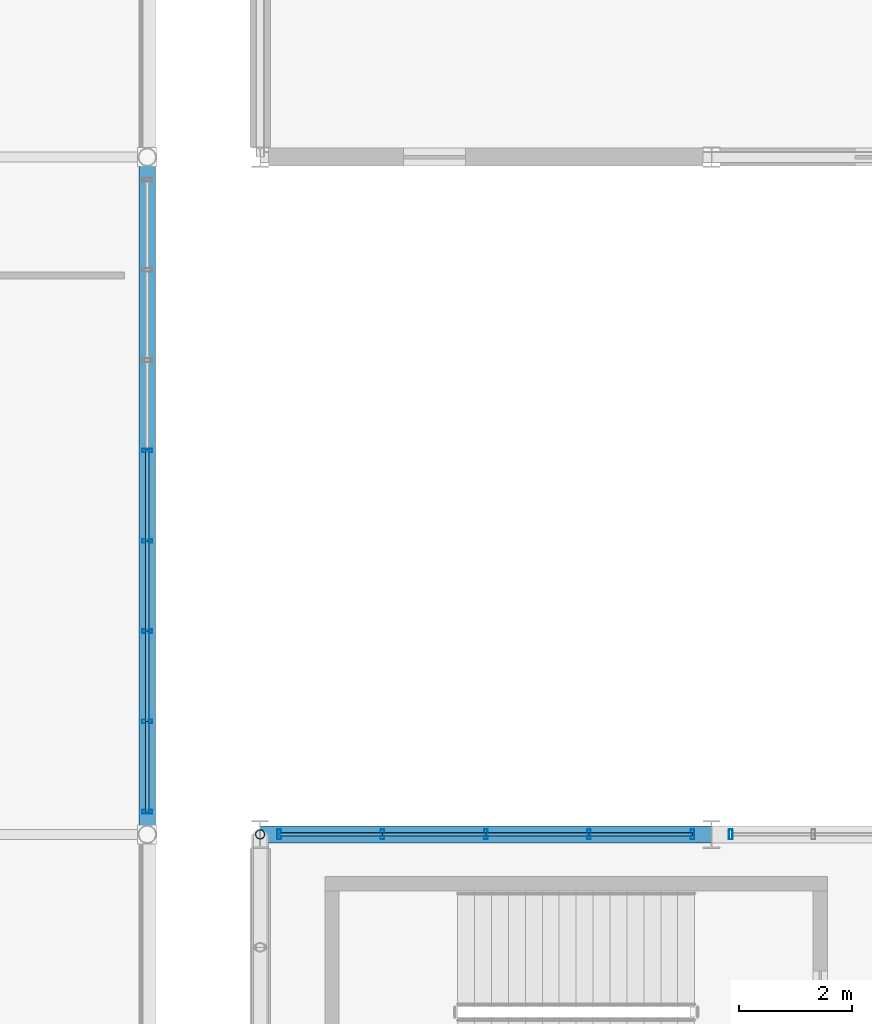
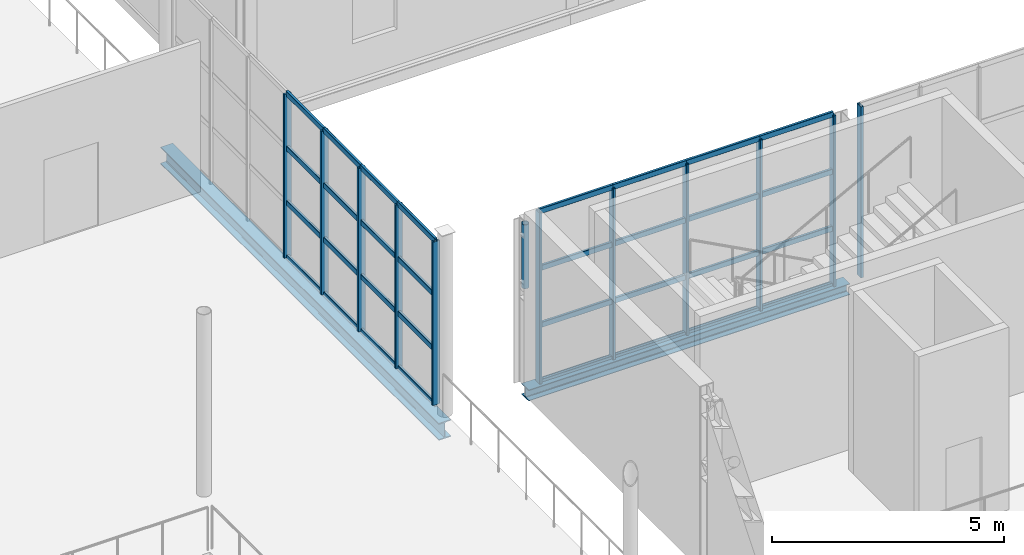
# One storey, part 51 of 143: 44 members, 2 beams, 3 elements without a shape of their own.
"""IFC4 building model written with IfcOpenShell, lengths in metres."""

from ifc_helpers import new_model, si_unit, derived_unit, direction, frame, origin, origin_2d, place, context, subcontext, project, spatial, hollow_rectangle, hollow_circle, i_section, extrude, material, material_profile, profile_set, type_object, element, aggregate, save


model = new_model("IFC4")

# Units and contexts
model_context = context("Model", 3, precision=1e-05, world=origin(), true_north=direction((0.0, 1.0)))
body_context = subcontext(model_context, "Body", "Model", "MODEL_VIEW")
ifc_project = project(units=[si_unit("LENGTHUNIT", "METRE"), si_unit("AREAUNIT", "SQUARE_METRE"), si_unit("VOLUMEUNIT", "CUBIC_METRE"), si_unit("PLANEANGLEUNIT", "RADIAN"), si_unit("MASSUNIT", "GRAM", prefix="KILO"), derived_unit("THERMALTRANSMITTANCEUNIT", [(si_unit("POWERUNIT", "WATT"), 1), (si_unit("LENGTHUNIT", "METRE"), -2), (si_unit("THERMODYNAMICTEMPERATUREUNIT", "KELVIN"), -1)])], contexts=[model_context])

# Site, building, storey
site_placement = place(None, origin())
site = spatial("IfcSite", under=ifc_project, at=site_placement, CompositionType="ELEMENT")
building_placement = place(site_placement, origin())
building = spatial("IfcBuilding", under=site, at=building_placement, Name="Keldorne Ridge Multi-Sports Centre", CompositionType="ELEMENT")
storey_placement = place(building_placement, frame((0.0, 0.0, 4.800048828125)))
storey = spatial("IfcBuildingStorey", under=building, at=storey_placement, Name="L01", CompositionType="ELEMENT", Elevation=4.800048828125)

# Beams
ifc_material_1 = material(Name="Steel S355", Category="steel")
ifc_material_profile_1 = material_profile(ifc_material_1, i_section(OverallWidth=0.300048828125, OverallDepth=0.449951171875, WebThickness=0.013916015625, FlangeThickness=0.02587890625, FilletRadius=0.027099609375, at=origin_2d()), Name="HEB 450")
ifc_profile_set_1 = profile_set([ifc_material_profile_1], Name="Steel S355")
beam_type_1 = type_object("IfcBeamType", Name="BM-B-11", PredefinedType="BEAM", material=ifc_profile_set_1)
beam_1_placement = place(storey_placement, frame((102.0, 54.0, -0.445068359375), z_axis=(0.0, 1.0, 0.0), x_axis=(-1.0, 0.0, 0.0)))
element("IfcBeam", 1, at=beam_1_placement, inside=storey, type_object=beam_type_1, Name="L01 passage girder G15.7", PredefinedType="BEAM", context=body_context, shape_type="SweptSolid", body=[
    extrude(i_section(OverallWidth=0.300048828125, OverallDepth=0.449951171875, WebThickness=0.013916015625, FlangeThickness=0.02587890625, FilletRadius=0.027099609375, at=origin_2d()), origin(), (0.0, 0.0, 1.0), 12.0),
])
ifc_material_profile_2 = material_profile(ifc_material_1, i_section(OverallWidth=0.300048828125, OverallDepth=0.2900390625, WebThickness=0.008544921875, FlangeThickness=0.013916015625, FilletRadius=0.027099609375, at=origin_2d()), Name="HEA 300")
ifc_profile_set_2 = profile_set([ifc_material_profile_2], Name="Steel S355")
beam_type_2 = type_object("IfcBeamType", Name="BM-SP-04", PredefinedType="SPANDREL", material=ifc_profile_set_2)
beam_2_placement = place(storey_placement, frame((104.0, 54.0, -0.150146484375), z_axis=(1.0, 0.0, 0.0), x_axis=(0.0, 1.0, 0.0)))
element("IfcBeam", 2, at=beam_2_placement, inside=storey, type_object=beam_type_2, Name="Stacked Courts spandrel L01.54.1", PredefinedType="SPANDREL", context=body_context, shape_type="SweptSolid", body=[
    extrude(i_section(OverallWidth=0.300048828125, OverallDepth=0.2900390625, WebThickness=0.008544921875, FlangeThickness=0.013916015625, FilletRadius=0.027099609375, at=origin_2d()), origin(), (0.0, 0.0, 1.0), 8.0),
])

# Curtain wall, members
ifc_material_2 = material(Name="Anodized aluminium", Category="aluminium")
curtain_wall_type_1 = type_object("IfcCurtainWallType", Name="CW-CW-06", PredefinedType="NOTDEFINED", material=ifc_material_2)
curtain_wall_1_placement = place(storey_placement, origin())
curtain_wall_1 = element("IfcCurtainWall", 3, at=curtain_wall_1_placement, inside=storey, type_object=curtain_wall_type_1, Name="Passage east courtyard curtain wall L01 086", PredefinedType="NOTDEFINED")
ifc_material_profile_3 = material_profile(ifc_material_2, hollow_rectangle(XDim=0.06494140625, YDim=0.179931640625, WallThickness=0.00439453125, InnerFilletRadius=0.00439453125, OuterFilletRadius=0.009033203125, at=origin_2d()), Name="ALU MULLION 180x65x4.5")
ifc_profile_set_3 = profile_set([ifc_material_profile_3], Name="Anodized aluminium")
member_type_1 = type_object("IfcMemberType", Name="MEM-ML-01", PredefinedType="MULLION", material=ifc_profile_set_3)
member_1_placement = place(storey_placement, frame((102.0, 54.39990234375, 0.0), z_axis=(0.0, 0.0, 1.0), x_axis=(0.0, 1.0, 0.0)))
member_1 = element("IfcMember", 4, at=member_1_placement, type_object=member_type_1, Name="CW-086 vertical mullion 1", PredefinedType="MULLION", context=body_context, shape_type="SweptSolid", body=[
    extrude(hollow_rectangle(XDim=0.06494140625, YDim=0.179931640625, WallThickness=0.00439453125, InnerFilletRadius=0.00439453125, OuterFilletRadius=0.009033203125, at=origin_2d()), origin(), (0.0, 0.0, 1.0), 4.300048828125),
])
member_2_placement = place(storey_placement, frame((102.0, 56.0, 0.0), z_axis=(0.0, 0.0, 1.0), x_axis=(0.0, 1.0, 0.0)))
member_2 = element("IfcMember", 5, at=member_2_placement, type_object=member_type_1, Name="CW-086 vertical mullion 2", PredefinedType="MULLION", context=body_context, shape_type="SweptSolid", body=[
    extrude(hollow_rectangle(XDim=0.06494140625, YDim=0.179931640625, WallThickness=0.00439453125, InnerFilletRadius=0.00439453125, OuterFilletRadius=0.009033203125, at=origin_2d()), origin(), (0.0, 0.0, 1.0), 4.300048828125),
])
member_3_placement = place(storey_placement, frame((102.0, 57.60009765625, 0.0), z_axis=(0.0, 0.0, 1.0), x_axis=(0.0, 1.0, 0.0)))
member_3 = element("IfcMember", 6, at=member_3_placement, type_object=member_type_1, Name="CW-086 vertical mullion 3", PredefinedType="MULLION", context=body_context, shape_type="SweptSolid", body=[
    extrude(hollow_rectangle(XDim=0.06494140625, YDim=0.179931640625, WallThickness=0.00439453125, InnerFilletRadius=0.00439453125, OuterFilletRadius=0.009033203125, at=origin_2d()), origin(), (0.0, 0.0, 1.0), 4.300048828125),
])
member_4_placement = place(storey_placement, frame((102.0, 59.199951171875, 0.0), z_axis=(0.0, 0.0, 1.0), x_axis=(0.0, 1.0, 0.0)))
member_4 = element("IfcMember", 7, at=member_4_placement, type_object=member_type_1, Name="CW-086 vertical mullion 4", PredefinedType="MULLION", context=body_context, shape_type="SweptSolid", body=[
    extrude(hollow_rectangle(XDim=0.06494140625, YDim=0.179931640625, WallThickness=0.00439453125, InnerFilletRadius=0.00439453125, OuterFilletRadius=0.009033203125, at=origin_2d()), origin(), (0.0, 0.0, 1.0), 4.300048828125),
])
member_5_placement = place(storey_placement, frame((102.0, 60.800048828125, 0.0), z_axis=(0.0, 0.0, 1.0), x_axis=(0.0, 1.0, 0.0)))
member_5 = element("IfcMember", 8, at=member_5_placement, type_object=member_type_1, Name="CW-086 vertical mullion 5", PredefinedType="MULLION", context=body_context, shape_type="SweptSolid", body=[
    extrude(hollow_rectangle(XDim=0.06494140625, YDim=0.179931640625, WallThickness=0.00439453125, InnerFilletRadius=0.00439453125, OuterFilletRadius=0.009033203125, at=origin_2d()), origin(), (0.0, 0.0, 1.0), 4.300048828125),
])

curtain_wall_type_2 = type_object("IfcCurtainWallType", Name="CW-CW-03", PredefinedType="NOTDEFINED", material=ifc_material_2)
curtain_wall_2_placement = place(storey_placement, origin())
curtain_wall_2 = element("IfcCurtainWall", 9, at=curtain_wall_2_placement, inside=storey, type_object=curtain_wall_type_2, Name="Lower Courts north clerestory 091", PredefinedType="NOTDEFINED")
member_6_placement = place(storey_placement, frame((111.659912109375, 54.0, 0.0), z_axis=(0.0, 0.0, 1.0), x_axis=(1.0, 0.0, 0.0)))
member_6 = element("IfcMember", 10, at=member_6_placement, type_object=member_type_1, Name="CW-091 vertical mullion 1", PredefinedType="MULLION", context=body_context, shape_type="SweptSolid", body=[
    extrude(hollow_rectangle(XDim=0.06494140625, YDim=0.179931640625, WallThickness=0.00439453125, InnerFilletRadius=0.00439453125, OuterFilletRadius=0.009033203125, at=origin_2d()), origin(), (0.0, 0.0, 1.0), 4.5),
])
member_7_placement = place(storey_placement, frame((109.830078125, 54.0, 0.0), z_axis=(0.0, 0.0, 1.0), x_axis=(1.0, 0.0, 0.0)))
member_7 = element("IfcMember", 11, at=member_7_placement, type_object=member_type_1, Name="CW-091 vertical mullion 2", PredefinedType="MULLION", context=body_context, shape_type="SweptSolid", body=[
    extrude(hollow_rectangle(XDim=0.06494140625, YDim=0.179931640625, WallThickness=0.00439453125, InnerFilletRadius=0.00439453125, OuterFilletRadius=0.009033203125, at=origin_2d()), origin(), (0.0, 0.0, 1.0), 4.5),
])
member_8_placement = place(storey_placement, frame((108.0, 54.0, 0.0), z_axis=(0.0, 0.0, 1.0), x_axis=(1.0, 0.0, 0.0)))
member_8 = element("IfcMember", 12, at=member_8_placement, type_object=member_type_1, Name="CW-091 vertical mullion 3", PredefinedType="MULLION", context=body_context, shape_type="SweptSolid", body=[
    extrude(hollow_rectangle(XDim=0.06494140625, YDim=0.179931640625, WallThickness=0.00439453125, InnerFilletRadius=0.00439453125, OuterFilletRadius=0.009033203125, at=origin_2d()), origin(), (0.0, 0.0, 1.0), 4.5),
])
member_9_placement = place(storey_placement, frame((106.169921875, 54.0, 0.0), z_axis=(0.0, 0.0, 1.0), x_axis=(1.0, 0.0, 0.0)))
member_9 = element("IfcMember", 13, at=member_9_placement, type_object=member_type_1, Name="CW-091 vertical mullion 4", PredefinedType="MULLION", context=body_context, shape_type="SweptSolid", body=[
    extrude(hollow_rectangle(XDim=0.06494140625, YDim=0.179931640625, WallThickness=0.00439453125, InnerFilletRadius=0.00439453125, OuterFilletRadius=0.009033203125, at=origin_2d()), origin(), (0.0, 0.0, 1.0), 4.5),
])
member_10_placement = place(storey_placement, frame((104.340087890625, 54.0, 0.0), z_axis=(0.0, 0.0, 1.0), x_axis=(1.0, 0.0, 0.0)))
member_10 = element("IfcMember", 14, at=member_10_placement, type_object=member_type_1, Name="CW-091 vertical mullion 5", PredefinedType="MULLION", context=body_context, shape_type="SweptSolid", body=[
    extrude(hollow_rectangle(XDim=0.06494140625, YDim=0.179931640625, WallThickness=0.00439453125, InnerFilletRadius=0.00439453125, OuterFilletRadius=0.009033203125, at=origin_2d()), origin(), (0.0, 0.0, 1.0), 4.5),
])

# Curtain wall, member
curtain_wall_type_3 = type_object("IfcCurtainWallType", Name="CW-CW-01", PredefinedType="NOTDEFINED", material=ifc_material_2)
curtain_wall_3_placement = place(storey_placement, origin())
curtain_wall_3 = element("IfcCurtainWall", 15, at=curtain_wall_3_placement, inside=storey, type_object=curtain_wall_type_3, Name="Lower Courts north clerestory 097", PredefinedType="NOTDEFINED")
member_11_placement = place(storey_placement, frame((112.340087890625, 54.0, 0.0), z_axis=(0.0, 0.0, 1.0), x_axis=(1.0, 0.0, 0.0)))
member_11 = element("IfcMember", 16, at=member_11_placement, type_object=member_type_1, Name="CW-097 vertical mullion 6", PredefinedType="MULLION", context=body_context, shape_type="SweptSolid", body=[
    extrude(hollow_rectangle(XDim=0.06494140625, YDim=0.179931640625, WallThickness=0.00439453125, InnerFilletRadius=0.00439453125, OuterFilletRadius=0.009033203125, at=origin_2d()), origin(), (0.0, 0.0, 1.0), 4.5),
])
aggregate(curtain_wall_3, [member_11])

# Member
ifc_material_profile_4 = material_profile(ifc_material_2, hollow_rectangle(XDim=0.06494140625, YDim=0.139892578125, WallThickness=0.00439453125, InnerFilletRadius=0.00439453125, OuterFilletRadius=0.009033203125, at=origin_2d()), Name="ALU TRANSOM 140x65x4.5")
ifc_profile_set_4 = profile_set([ifc_material_profile_4], Name="Anodized aluminium")
member_type_2 = type_object("IfcMemberType", Name="MEM-TR-01", PredefinedType="USERDEFINED", material=ifc_profile_set_4)
member_12_placement = place(storey_placement, frame((102.0, 54.39990234375, 0.0), z_axis=(0.0, 1.0, 0.0), x_axis=(-1.0, 0.0, 0.0)))
member_12 = element("IfcMember", 17, at=member_12_placement, type_object=member_type_2, Name="CW-086 transom 1.1", ObjectType="TRANSOM", PredefinedType="USERDEFINED", context=body_context, shape_type="SweptSolid", body=[
    extrude(hollow_rectangle(XDim=0.06494140625, YDim=0.139892578125, WallThickness=0.00439453125, InnerFilletRadius=0.00439453125, OuterFilletRadius=0.009033203125, at=origin_2d()), origin(), (0.0, 0.0, 1.0), 1.60009765625),
])

member_13_placement = place(storey_placement, frame((102.0, 54.39990234375, 1.433349609375), z_axis=(0.0, 1.0, 0.0), x_axis=(-1.0, 0.0, 0.0)))
member_13 = element("IfcMember", 18, at=member_13_placement, type_object=member_type_2, Name="CW-086 transom 1.2", ObjectType="TRANSOM", PredefinedType="USERDEFINED", context=body_context, shape_type="SweptSolid", body=[
    extrude(hollow_rectangle(XDim=0.06494140625, YDim=0.139892578125, WallThickness=0.00439453125, InnerFilletRadius=0.00439453125, OuterFilletRadius=0.009033203125, at=origin_2d()), origin(), (0.0, 0.0, 1.0), 1.60009765625),
])

member_14_placement = place(storey_placement, frame((102.0, 54.39990234375, 2.86669921875), z_axis=(0.0, 1.0, 0.0), x_axis=(-1.0, 0.0, 0.0)))
member_14 = element("IfcMember", 19, at=member_14_placement, type_object=member_type_2, Name="CW-086 transom 1.3", ObjectType="TRANSOM", PredefinedType="USERDEFINED", context=body_context, shape_type="SweptSolid", body=[
    extrude(hollow_rectangle(XDim=0.06494140625, YDim=0.139892578125, WallThickness=0.00439453125, InnerFilletRadius=0.00439453125, OuterFilletRadius=0.009033203125, at=origin_2d()), origin(), (0.0, 0.0, 1.0), 1.60009765625),
])

member_15_placement = place(storey_placement, frame((102.0, 54.39990234375, 4.300048828125), z_axis=(0.0, 1.0, 0.0), x_axis=(-1.0, 0.0, 0.0)))
member_15 = element("IfcMember", 20, at=member_15_placement, type_object=member_type_2, Name="CW-086 transom 1.4", ObjectType="TRANSOM", PredefinedType="USERDEFINED", context=body_context, shape_type="SweptSolid", body=[
    extrude(hollow_rectangle(XDim=0.06494140625, YDim=0.139892578125, WallThickness=0.00439453125, InnerFilletRadius=0.00439453125, OuterFilletRadius=0.009033203125, at=origin_2d()), origin(), (0.0, 0.0, 1.0), 1.60009765625),
])

member_16_placement = place(storey_placement, frame((102.0, 56.0, 0.0), z_axis=(0.0, 1.0, 0.0), x_axis=(-1.0, 0.0, 0.0)))
member_16 = element("IfcMember", 21, at=member_16_placement, type_object=member_type_2, Name="CW-086 transom 2.1", ObjectType="TRANSOM", PredefinedType="USERDEFINED", context=body_context, shape_type="SweptSolid", body=[
    extrude(hollow_rectangle(XDim=0.06494140625, YDim=0.139892578125, WallThickness=0.00439453125, InnerFilletRadius=0.00439453125, OuterFilletRadius=0.009033203125, at=origin_2d()), origin(), (0.0, 0.0, 1.0), 1.60009765625),
])

member_17_placement = place(storey_placement, frame((102.0, 56.0, 1.433349609375), z_axis=(0.0, 1.0, 0.0), x_axis=(-1.0, 0.0, 0.0)))
member_17 = element("IfcMember", 22, at=member_17_placement, type_object=member_type_2, Name="CW-086 transom 2.2", ObjectType="TRANSOM", PredefinedType="USERDEFINED", context=body_context, shape_type="SweptSolid", body=[
    extrude(hollow_rectangle(XDim=0.06494140625, YDim=0.139892578125, WallThickness=0.00439453125, InnerFilletRadius=0.00439453125, OuterFilletRadius=0.009033203125, at=origin_2d()), origin(), (0.0, 0.0, 1.0), 1.60009765625),
])

member_18_placement = place(storey_placement, frame((102.0, 56.0, 2.86669921875), z_axis=(0.0, 1.0, 0.0), x_axis=(-1.0, 0.0, 0.0)))
member_18 = element("IfcMember", 23, at=member_18_placement, type_object=member_type_2, Name="CW-086 transom 2.3", ObjectType="TRANSOM", PredefinedType="USERDEFINED", context=body_context, shape_type="SweptSolid", body=[
    extrude(hollow_rectangle(XDim=0.06494140625, YDim=0.139892578125, WallThickness=0.00439453125, InnerFilletRadius=0.00439453125, OuterFilletRadius=0.009033203125, at=origin_2d()), origin(), (0.0, 0.0, 1.0), 1.60009765625),
])

member_19_placement = place(storey_placement, frame((102.0, 56.0, 4.300048828125), z_axis=(0.0, 1.0, 0.0), x_axis=(-1.0, 0.0, 0.0)))
member_19 = element("IfcMember", 24, at=member_19_placement, type_object=member_type_2, Name="CW-086 transom 2.4", ObjectType="TRANSOM", PredefinedType="USERDEFINED", context=body_context, shape_type="SweptSolid", body=[
    extrude(hollow_rectangle(XDim=0.06494140625, YDim=0.139892578125, WallThickness=0.00439453125, InnerFilletRadius=0.00439453125, OuterFilletRadius=0.009033203125, at=origin_2d()), origin(), (0.0, 0.0, 1.0), 1.60009765625),
])

member_20_placement = place(storey_placement, frame((102.0, 57.60009765625, 0.0), z_axis=(0.0, 1.0, 0.0), x_axis=(-1.0, 0.0, 0.0)))
member_20 = element("IfcMember", 25, at=member_20_placement, type_object=member_type_2, Name="CW-086 transom 3.1", ObjectType="TRANSOM", PredefinedType="USERDEFINED", context=body_context, shape_type="SweptSolid", body=[
    extrude(hollow_rectangle(XDim=0.06494140625, YDim=0.139892578125, WallThickness=0.00439453125, InnerFilletRadius=0.00439453125, OuterFilletRadius=0.009033203125, at=origin_2d()), origin(), (0.0, 0.0, 1.0), 1.599853515625),
])

member_21_placement = place(storey_placement, frame((102.0, 57.60009765625, 1.433349609375), z_axis=(0.0, 1.0, 0.0), x_axis=(-1.0, 0.0, 0.0)))
member_21 = element("IfcMember", 26, at=member_21_placement, type_object=member_type_2, Name="CW-086 transom 3.2", ObjectType="TRANSOM", PredefinedType="USERDEFINED", context=body_context, shape_type="SweptSolid", body=[
    extrude(hollow_rectangle(XDim=0.06494140625, YDim=0.139892578125, WallThickness=0.00439453125, InnerFilletRadius=0.00439453125, OuterFilletRadius=0.009033203125, at=origin_2d()), origin(), (0.0, 0.0, 1.0), 1.599853515625),
])

member_22_placement = place(storey_placement, frame((102.0, 57.60009765625, 2.86669921875), z_axis=(0.0, 1.0, 0.0), x_axis=(-1.0, 0.0, 0.0)))
member_22 = element("IfcMember", 27, at=member_22_placement, type_object=member_type_2, Name="CW-086 transom 3.3", ObjectType="TRANSOM", PredefinedType="USERDEFINED", context=body_context, shape_type="SweptSolid", body=[
    extrude(hollow_rectangle(XDim=0.06494140625, YDim=0.139892578125, WallThickness=0.00439453125, InnerFilletRadius=0.00439453125, OuterFilletRadius=0.009033203125, at=origin_2d()), origin(), (0.0, 0.0, 1.0), 1.599853515625),
])

member_23_placement = place(storey_placement, frame((102.0, 57.60009765625, 4.300048828125), z_axis=(0.0, 1.0, 0.0), x_axis=(-1.0, 0.0, 0.0)))
member_23 = element("IfcMember", 28, at=member_23_placement, type_object=member_type_2, Name="CW-086 transom 3.4", ObjectType="TRANSOM", PredefinedType="USERDEFINED", context=body_context, shape_type="SweptSolid", body=[
    extrude(hollow_rectangle(XDim=0.06494140625, YDim=0.139892578125, WallThickness=0.00439453125, InnerFilletRadius=0.00439453125, OuterFilletRadius=0.009033203125, at=origin_2d()), origin(), (0.0, 0.0, 1.0), 1.599853515625),
])

member_24_placement = place(storey_placement, frame((102.0, 59.199951171875, 0.0), z_axis=(0.0, 1.0, 0.0), x_axis=(-1.0, 0.0, 0.0)))
member_24 = element("IfcMember", 29, at=member_24_placement, type_object=member_type_2, Name="CW-086 transom 4.1", ObjectType="TRANSOM", PredefinedType="USERDEFINED", context=body_context, shape_type="SweptSolid", body=[
    extrude(hollow_rectangle(XDim=0.06494140625, YDim=0.139892578125, WallThickness=0.00439453125, InnerFilletRadius=0.00439453125, OuterFilletRadius=0.009033203125, at=origin_2d()), origin(), (0.0, 0.0, 1.0), 1.60009765625),
])

member_25_placement = place(storey_placement, frame((102.0, 59.199951171875, 1.433349609375), z_axis=(0.0, 1.0, 0.0), x_axis=(-1.0, 0.0, 0.0)))
member_25 = element("IfcMember", 30, at=member_25_placement, type_object=member_type_2, Name="CW-086 transom 4.2", ObjectType="TRANSOM", PredefinedType="USERDEFINED", context=body_context, shape_type="SweptSolid", body=[
    extrude(hollow_rectangle(XDim=0.06494140625, YDim=0.139892578125, WallThickness=0.00439453125, InnerFilletRadius=0.00439453125, OuterFilletRadius=0.009033203125, at=origin_2d()), origin(), (0.0, 0.0, 1.0), 1.60009765625),
])

member_26_placement = place(storey_placement, frame((102.0, 59.199951171875, 2.86669921875), z_axis=(0.0, 1.0, 0.0), x_axis=(-1.0, 0.0, 0.0)))
member_26 = element("IfcMember", 31, at=member_26_placement, type_object=member_type_2, Name="CW-086 transom 4.3", ObjectType="TRANSOM", PredefinedType="USERDEFINED", context=body_context, shape_type="SweptSolid", body=[
    extrude(hollow_rectangle(XDim=0.06494140625, YDim=0.139892578125, WallThickness=0.00439453125, InnerFilletRadius=0.00439453125, OuterFilletRadius=0.009033203125, at=origin_2d()), origin(), (0.0, 0.0, 1.0), 1.60009765625),
])

member_27_placement = place(storey_placement, frame((102.0, 59.199951171875, 4.300048828125), z_axis=(0.0, 1.0, 0.0), x_axis=(-1.0, 0.0, 0.0)))
member_27 = element("IfcMember", 32, at=member_27_placement, type_object=member_type_2, Name="CW-086 transom 4.4", ObjectType="TRANSOM", PredefinedType="USERDEFINED", context=body_context, shape_type="SweptSolid", body=[
    extrude(hollow_rectangle(XDim=0.06494140625, YDim=0.139892578125, WallThickness=0.00439453125, InnerFilletRadius=0.00439453125, OuterFilletRadius=0.009033203125, at=origin_2d()), origin(), (0.0, 0.0, 1.0), 1.60009765625),
])

aggregate(curtain_wall_1, [member_1, member_2, member_3, member_4, member_5, member_12, member_13, member_14, member_15, member_16, member_17, member_18, member_19, member_20, member_21, member_22, member_23, member_24, member_25, member_26, member_27])

member_28_placement = place(storey_placement, frame((111.659912109375, 54.0, 0.0), z_axis=(-1.0, 0.0, 0.0), x_axis=(0.0, -1.0, 0.0)))
member_28 = element("IfcMember", 33, at=member_28_placement, type_object=member_type_2, Name="CW-091 transom 1.1", ObjectType="TRANSOM", PredefinedType="USERDEFINED", context=body_context, shape_type="SweptSolid", body=[
    extrude(hollow_rectangle(XDim=0.06494140625, YDim=0.139892578125, WallThickness=0.00439453125, InnerFilletRadius=0.00439453125, OuterFilletRadius=0.009033203125, at=origin_2d()), origin(), (0.0, 0.0, 1.0), 1.829833984375),
])

member_29_placement = place(storey_placement, frame((111.659912109375, 54.0, 1.5), z_axis=(-1.0, 0.0, 0.0), x_axis=(0.0, -1.0, 0.0)))
member_29 = element("IfcMember", 34, at=member_29_placement, type_object=member_type_2, Name="CW-091 transom 1.2", ObjectType="TRANSOM", PredefinedType="USERDEFINED", context=body_context, shape_type="SweptSolid", body=[
    extrude(hollow_rectangle(XDim=0.06494140625, YDim=0.139892578125, WallThickness=0.00439453125, InnerFilletRadius=0.00439453125, OuterFilletRadius=0.009033203125, at=origin_2d()), origin(), (0.0, 0.0, 1.0), 1.829833984375),
])

member_30_placement = place(storey_placement, frame((111.659912109375, 54.0, 3.0), z_axis=(-1.0, 0.0, 0.0), x_axis=(0.0, -1.0, 0.0)))
member_30 = element("IfcMember", 35, at=member_30_placement, type_object=member_type_2, Name="CW-091 transom 1.3", ObjectType="TRANSOM", PredefinedType="USERDEFINED", context=body_context, shape_type="SweptSolid", body=[
    extrude(hollow_rectangle(XDim=0.06494140625, YDim=0.139892578125, WallThickness=0.00439453125, InnerFilletRadius=0.00439453125, OuterFilletRadius=0.009033203125, at=origin_2d()), origin(), (0.0, 0.0, 1.0), 1.829833984375),
])

member_31_placement = place(storey_placement, frame((111.659912109375, 54.0, 4.5), z_axis=(-1.0, 0.0, 0.0), x_axis=(0.0, -1.0, 0.0)))
member_31 = element("IfcMember", 36, at=member_31_placement, type_object=member_type_2, Name="CW-091 transom 1.4", ObjectType="TRANSOM", PredefinedType="USERDEFINED", context=body_context, shape_type="SweptSolid", body=[
    extrude(hollow_rectangle(XDim=0.06494140625, YDim=0.139892578125, WallThickness=0.00439453125, InnerFilletRadius=0.00439453125, OuterFilletRadius=0.009033203125, at=origin_2d()), origin(), (0.0, 0.0, 1.0), 1.829833984375),
])

member_32_placement = place(storey_placement, frame((109.830078125, 54.0, 0.0), z_axis=(-1.0, 0.0, 0.0), x_axis=(0.0, -1.0, 0.0)))
member_32 = element("IfcMember", 37, at=member_32_placement, type_object=member_type_2, Name="CW-091 transom 2.1", ObjectType="TRANSOM", PredefinedType="USERDEFINED", context=body_context, shape_type="SweptSolid", body=[
    extrude(hollow_rectangle(XDim=0.06494140625, YDim=0.139892578125, WallThickness=0.00439453125, InnerFilletRadius=0.00439453125, OuterFilletRadius=0.009033203125, at=origin_2d()), origin(), (0.0, 0.0, 1.0), 1.830078125),
])

member_33_placement = place(storey_placement, frame((109.830078125, 54.0, 1.5), z_axis=(-1.0, 0.0, 0.0), x_axis=(0.0, -1.0, 0.0)))
member_33 = element("IfcMember", 38, at=member_33_placement, type_object=member_type_2, Name="CW-091 transom 2.2", ObjectType="TRANSOM", PredefinedType="USERDEFINED", context=body_context, shape_type="SweptSolid", body=[
    extrude(hollow_rectangle(XDim=0.06494140625, YDim=0.139892578125, WallThickness=0.00439453125, InnerFilletRadius=0.00439453125, OuterFilletRadius=0.009033203125, at=origin_2d()), origin(), (0.0, 0.0, 1.0), 1.830078125),
])

member_34_placement = place(storey_placement, frame((109.830078125, 54.0, 3.0), z_axis=(-1.0, 0.0, 0.0), x_axis=(0.0, -1.0, 0.0)))
member_34 = element("IfcMember", 39, at=member_34_placement, type_object=member_type_2, Name="CW-091 transom 2.3", ObjectType="TRANSOM", PredefinedType="USERDEFINED", context=body_context, shape_type="SweptSolid", body=[
    extrude(hollow_rectangle(XDim=0.06494140625, YDim=0.139892578125, WallThickness=0.00439453125, InnerFilletRadius=0.00439453125, OuterFilletRadius=0.009033203125, at=origin_2d()), origin(), (0.0, 0.0, 1.0), 1.830078125),
])

member_35_placement = place(storey_placement, frame((109.830078125, 54.0, 4.5), z_axis=(-1.0, 0.0, 0.0), x_axis=(0.0, -1.0, 0.0)))
member_35 = element("IfcMember", 40, at=member_35_placement, type_object=member_type_2, Name="CW-091 transom 2.4", ObjectType="TRANSOM", PredefinedType="USERDEFINED", context=body_context, shape_type="SweptSolid", body=[
    extrude(hollow_rectangle(XDim=0.06494140625, YDim=0.139892578125, WallThickness=0.00439453125, InnerFilletRadius=0.00439453125, OuterFilletRadius=0.009033203125, at=origin_2d()), origin(), (0.0, 0.0, 1.0), 1.830078125),
])

member_36_placement = place(storey_placement, frame((108.0, 54.0, 0.0), z_axis=(-1.0, 0.0, 0.0), x_axis=(0.0, -1.0, 0.0)))
member_36 = element("IfcMember", 41, at=member_36_placement, type_object=member_type_2, Name="CW-091 transom 3.1", ObjectType="TRANSOM", PredefinedType="USERDEFINED", context=body_context, shape_type="SweptSolid", body=[
    extrude(hollow_rectangle(XDim=0.06494140625, YDim=0.139892578125, WallThickness=0.00439453125, InnerFilletRadius=0.00439453125, OuterFilletRadius=0.009033203125, at=origin_2d()), origin(), (0.0, 0.0, 1.0), 1.830078125),
])

member_37_placement = place(storey_placement, frame((108.0, 54.0, 1.5), z_axis=(-1.0, 0.0, 0.0), x_axis=(0.0, -1.0, 0.0)))
member_37 = element("IfcMember", 42, at=member_37_placement, type_object=member_type_2, Name="CW-091 transom 3.2", ObjectType="TRANSOM", PredefinedType="USERDEFINED", context=body_context, shape_type="SweptSolid", body=[
    extrude(hollow_rectangle(XDim=0.06494140625, YDim=0.139892578125, WallThickness=0.00439453125, InnerFilletRadius=0.00439453125, OuterFilletRadius=0.009033203125, at=origin_2d()), origin(), (0.0, 0.0, 1.0), 1.830078125),
])

member_38_placement = place(storey_placement, frame((108.0, 54.0, 3.0), z_axis=(-1.0, 0.0, 0.0), x_axis=(0.0, -1.0, 0.0)))
member_38 = element("IfcMember", 43, at=member_38_placement, type_object=member_type_2, Name="CW-091 transom 3.3", ObjectType="TRANSOM", PredefinedType="USERDEFINED", context=body_context, shape_type="SweptSolid", body=[
    extrude(hollow_rectangle(XDim=0.06494140625, YDim=0.139892578125, WallThickness=0.00439453125, InnerFilletRadius=0.00439453125, OuterFilletRadius=0.009033203125, at=origin_2d()), origin(), (0.0, 0.0, 1.0), 1.830078125),
])

member_39_placement = place(storey_placement, frame((108.0, 54.0, 4.5), z_axis=(-1.0, 0.0, 0.0), x_axis=(0.0, -1.0, 0.0)))
member_39 = element("IfcMember", 44, at=member_39_placement, type_object=member_type_2, Name="CW-091 transom 3.4", ObjectType="TRANSOM", PredefinedType="USERDEFINED", context=body_context, shape_type="SweptSolid", body=[
    extrude(hollow_rectangle(XDim=0.06494140625, YDim=0.139892578125, WallThickness=0.00439453125, InnerFilletRadius=0.00439453125, OuterFilletRadius=0.009033203125, at=origin_2d()), origin(), (0.0, 0.0, 1.0), 1.830078125),
])

member_40_placement = place(storey_placement, frame((106.169921875, 54.0, 0.0), z_axis=(-1.0, 0.0, 0.0), x_axis=(0.0, -1.0, 0.0)))
member_40 = element("IfcMember", 45, at=member_40_placement, type_object=member_type_2, Name="CW-091 transom 4.1", ObjectType="TRANSOM", PredefinedType="USERDEFINED", context=body_context, shape_type="SweptSolid", body=[
    extrude(hollow_rectangle(XDim=0.06494140625, YDim=0.139892578125, WallThickness=0.00439453125, InnerFilletRadius=0.00439453125, OuterFilletRadius=0.009033203125, at=origin_2d()), origin(), (0.0, 0.0, 1.0), 1.829833984375),
])

member_41_placement = place(storey_placement, frame((106.169921875, 54.0, 1.5), z_axis=(-1.0, 0.0, 0.0), x_axis=(0.0, -1.0, 0.0)))
member_41 = element("IfcMember", 46, at=member_41_placement, type_object=member_type_2, Name="CW-091 transom 4.2", ObjectType="TRANSOM", PredefinedType="USERDEFINED", context=body_context, shape_type="SweptSolid", body=[
    extrude(hollow_rectangle(XDim=0.06494140625, YDim=0.139892578125, WallThickness=0.00439453125, InnerFilletRadius=0.00439453125, OuterFilletRadius=0.009033203125, at=origin_2d()), origin(), (0.0, 0.0, 1.0), 1.829833984375),
])

member_42_placement = place(storey_placement, frame((106.169921875, 54.0, 3.0), z_axis=(-1.0, 0.0, 0.0), x_axis=(0.0, -1.0, 0.0)))
member_42 = element("IfcMember", 47, at=member_42_placement, type_object=member_type_2, Name="CW-091 transom 4.3", ObjectType="TRANSOM", PredefinedType="USERDEFINED", context=body_context, shape_type="SweptSolid", body=[
    extrude(hollow_rectangle(XDim=0.06494140625, YDim=0.139892578125, WallThickness=0.00439453125, InnerFilletRadius=0.00439453125, OuterFilletRadius=0.009033203125, at=origin_2d()), origin(), (0.0, 0.0, 1.0), 1.829833984375),
])

member_43_placement = place(storey_placement, frame((106.169921875, 54.0, 4.5), z_axis=(-1.0, 0.0, 0.0), x_axis=(0.0, -1.0, 0.0)))
member_43 = element("IfcMember", 48, at=member_43_placement, type_object=member_type_2, Name="CW-091 transom 4.4", ObjectType="TRANSOM", PredefinedType="USERDEFINED", context=body_context, shape_type="SweptSolid", body=[
    extrude(hollow_rectangle(XDim=0.06494140625, YDim=0.139892578125, WallThickness=0.00439453125, InnerFilletRadius=0.00439453125, OuterFilletRadius=0.009033203125, at=origin_2d()), origin(), (0.0, 0.0, 1.0), 1.829833984375),
])

aggregate(curtain_wall_2, [member_6, member_7, member_8, member_9, member_10, member_28, member_29, member_30, member_31, member_32, member_33, member_34, member_35, member_36, member_37, member_38, member_39, member_40, member_41, member_42, member_43])

ifc_material_profile_5 = material_profile(ifc_material_1, hollow_circle(Radius=0.084228515625, WallThickness=0.010009765625, at=origin_2d()), Name="CHS 168.3x10")
ifc_profile_set_5 = profile_set([ifc_material_profile_5], Name="Steel S355")
member_type_3 = type_object("IfcMemberType", Name="MEM-TV-01", PredefinedType="STRUT", material=ifc_profile_set_5)
member_44_placement = place(storey_placement, frame((104.0, 54.0, 2.6298828125), z_axis=(0.0, 0.0, 1.0), x_axis=(1.0, 0.0, 0.0)))
element("IfcMember", 49, at=member_44_placement, inside=storey, type_object=member_type_3, Name="Stacked Courts Warren TRUSS WT-L02-01 end post 24", PredefinedType="STRUT", context=body_context, shape_type="SweptSolid", body=[
    extrude(hollow_circle(Radius=0.084228515625, WallThickness=0.010009765625, at=origin_2d()), origin(), (0.0, 0.0, 1.0), 1.68017578125),
])

save(model, "model.ifc")
